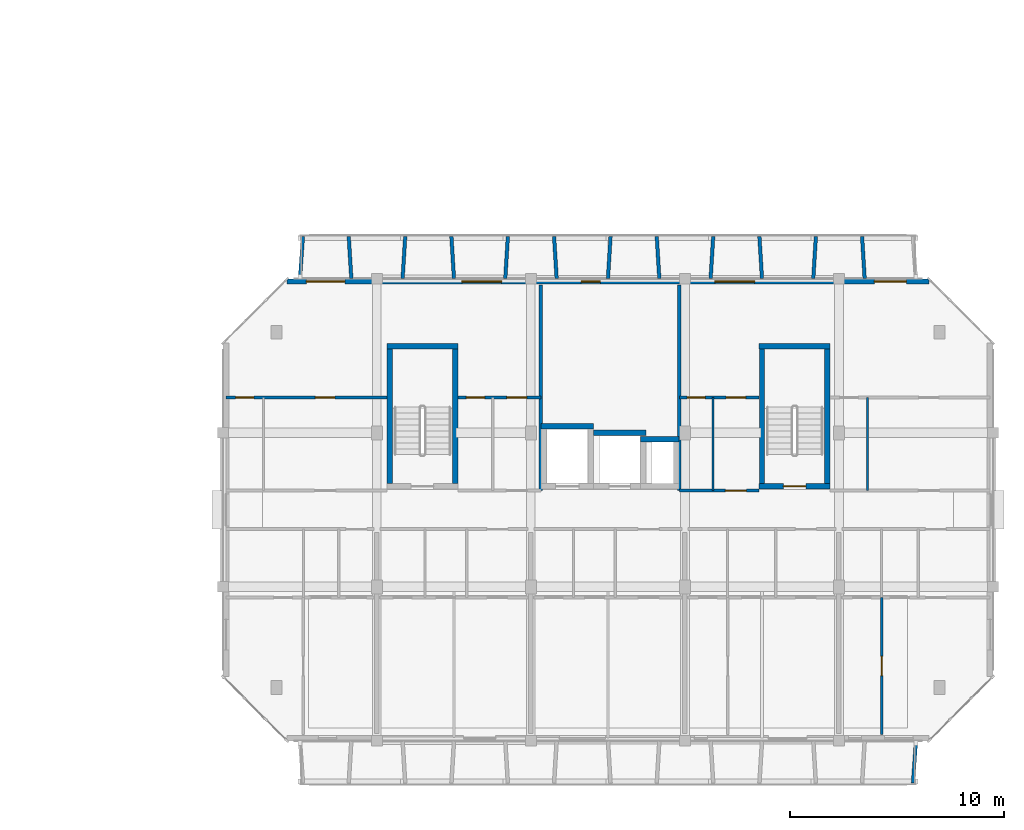
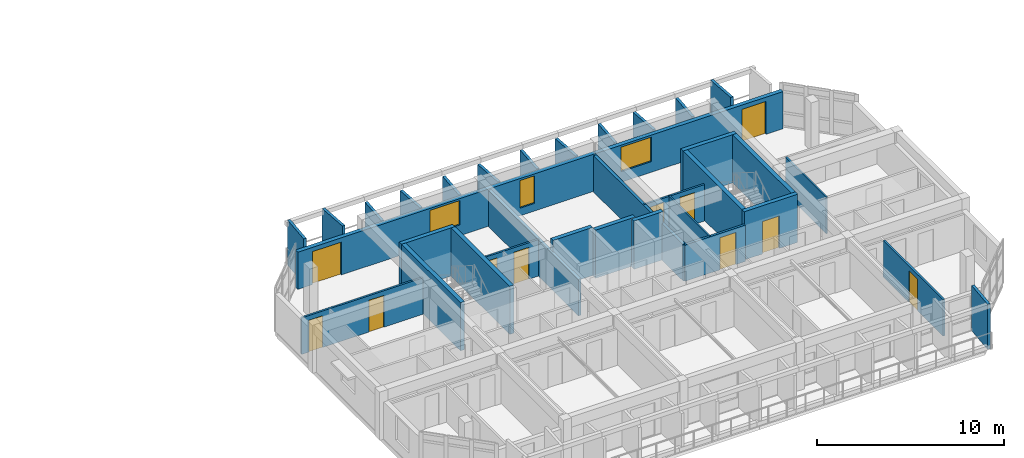
# One storey, part 26 of 46: 33 walls, 11 doors, 3 windows, 14 openings.
"""IFC4 building model written with IfcOpenShell, lengths in metres."""

from ifc_helpers import new_model, si_unit, direction, frame, frame_2d, origin, place, context, subcontext, project, spatial, rectangle, extrude, material, layer, layer_set, type_object, element, fill, save


model = new_model("IFC4")

# Units and contexts
model_context = context("Model", 3, precision=1e-05, world=origin(), true_north=direction((0.0, 1.0)))
body_context = subcontext(model_context, "Body", "Model", "MODEL_VIEW")
ifc_project = project(units=[si_unit("LENGTHUNIT", "METRE"), si_unit("AREAUNIT", "SQUARE_METRE"), si_unit("VOLUMEUNIT", "CUBIC_METRE"), si_unit("PLANEANGLEUNIT", "RADIAN"), si_unit("MASSUNIT", "GRAM", prefix="KILO")], contexts=[model_context])

# Site, building, storey
site_placement = place(None, origin())
site = spatial("IfcSite", under=ifc_project, at=site_placement, CompositionType="ELEMENT")
building_placement = place(site_placement, origin())
building = spatial("IfcBuilding", under=site, at=building_placement, Name="Ochrevale Crest", CompositionType="ELEMENT")
storey_placement = place(building_placement, frame((0.0, 0.0, 24.449951171875)))
storey = spatial("IfcBuildingStorey", under=building, at=storey_placement, Name="L07", CompositionType="ELEMENT", Elevation=24.449951171875)

# Wall, opening, door
ifc_material_1 = material(Name="Gypsum plasterboard", Category="gypsum")
ifc_layer_1 = layer(ifc_material_1, 0.139892578125)
ifc_layer_set_1 = layer_set([ifc_layer_1], Name="Gypsum plasterboard")
wall_type_1 = type_object("IfcWallType", Name="WL-COR-140", PredefinedType="PARTITIONING", material=ifc_layer_set_1)
wall_1_placement = place(storey_placement, frame((150.93994140625, 26.10009765625, 0.0), z_axis=(0.0, 0.0, 1.0), x_axis=(1.0, 0.0, 0.0)))
wall_1 = element("IfcWall", 1, at=wall_1_placement, inside=storey, type_object=wall_type_1, Name="Suite C-L07-ME corridor wall", PredefinedType="PARTITIONING", context=body_context, shape_type="SweptSolid", body=[
    extrude(rectangle(XDim=3.719970703125, YDim=0.139892578125, at=frame_2d((1.85986328125, 0.0))), origin(), (0.0, 0.0, 1.0), 2.380126953125),
])
opening_1_placement = place(wall_1_placement, frame((2.151123046875, 0.0, 0.0)))
opening_1 = element("IfcOpeningElement", 2, at=opening_1_placement, cuts=wall_1, Name="Opening FD01", PredefinedType="OPENING", context=body_context, shape_type="SweptSolid", body=[
    extrude(rectangle(XDim=0.97998046875, YDim=2.10009765625, at=frame_2d((0.489990234375, 1.050048828125))), frame((0.0, 0.080078125, 0.0), z_axis=(0.0, -1.0, 0.0), x_axis=(1.0, 0.0, 0.0)), (0.0, 0.0, 1.0), 0.159912109375),
])
ifc_material_2 = material(Name="Solid-core FSC hardwood", Category="wood")
door_type_1 = type_object("IfcDoorType", Name="DR-APT-950", OperationType="NOTDEFINED", PredefinedType="DOOR", material=ifc_material_2)
door_1_placement = place(opening_1_placement, origin())
door_1 = element("IfcDoor", 3, at=door_1_placement, inside=storey, type_object=door_type_1, Name="Suite C-L07-ME entrance door", OperationType="SINGLE_SWING_LEFT", OverallHeight=2.10009765625, OverallWidth=0.97998046875, PredefinedType="DOOR", context=body_context, shape_type="SweptSolid", body=[
    extrude(rectangle(XDim=0.97998046875, YDim=2.10009765625, at=frame_2d((0.489990234375, 1.050048828125))), frame((0.0, 0.02490234375, 0.0), z_axis=(0.0, -1.0, 0.0), x_axis=(1.0, 0.0, 0.0)), (0.0, 0.0, 1.0), 0.050048828125),
])
fill(opening_1, door_1)

# Walls
ifc_material_3 = material(Name="Precast concrete C50/60", Category="concrete")
ifc_layer_2 = layer(ifc_material_3, 0.2548828125)
ifc_layer_set_2 = layer_set([ifc_layer_2], Name="Precast concrete C50/60")
wall_type_2 = type_object("IfcWallType", Name="WL-CORE-255", PredefinedType="SHEAR", material=ifc_layer_set_2)
wall_2_placement = place(storey_placement, frame((137.2724609375, 32.85009765625, 0.0), z_axis=(0.0, 0.0, 1.0), x_axis=(1.0, 0.0, 0.0)))
element("IfcWall", 4, at=wall_2_placement, inside=storey, type_object=wall_type_2, Name="Block C L07 Stair 1 precast core shear wall N", PredefinedType="SHEAR", context=body_context, shape_type="SweptSolid", body=[
    extrude(rectangle(XDim=3.304931640625, YDim=0.2548828125, at=frame_2d((1.65234375, 0.0))), origin(), (0.0, 0.0, 1.0), 3.150146484375),
])
for number, where, z_axis, x_axis, name in (
    (5, (137.39990234375, 26.427490234375, 0.0), (0.0, 0.0, 1.0), (0.0, 1.0, 0.0), "Block C L07 Stair 1 precast core shear wall W"),
    (6, (140.449951171875, 26.427490234375, 0.0), (0.0, 0.0, 1.0), (0.0, 1.0, 0.0), "Block C L07 Stair 1 precast core shear wall E"),
):
    element("IfcWall", number, at=place(storey_placement, frame(where, z_axis=z_axis, x_axis=x_axis)), inside=storey, type_object=wall_type_2, Name=name, PredefinedType="SHEAR", context=body_context, shape_type="SweptSolid", body=[
        extrude(rectangle(XDim=6.294921875, YDim=0.2548828125, at=frame_2d((3.1474609375, 0.0))), origin(), (0.0, 0.0, 1.0), 3.150146484375),
    ])

# Wall, opening, door
wall_3_placement = place(storey_placement, frame((154.672607421875, 26.300048828125, 0.0), z_axis=(0.0, 0.0, 1.0), x_axis=(1.0, 0.0, 0.0)))
wall_3 = element("IfcWall", 7, at=wall_3_placement, inside=storey, type_object=wall_type_2, Name="Block C L07 Stair 2 precast core shear wall S", PredefinedType="SHEAR", context=body_context, shape_type="SweptSolid", body=[
    extrude(rectangle(XDim=3.304931640625, YDim=0.2548828125, at=frame_2d((1.65234375, 0.0))), origin(), (0.0, 0.0, 1.0), 3.150146484375),
])
opening_2_placement = place(wall_3_placement, frame((1.12744140625, 0.0, 0.0)))
opening_2 = element("IfcOpeningElement", 8, at=opening_2_placement, cuts=wall_3, Name="Opening FD03", PredefinedType="OPENING", context=body_context, shape_type="SweptSolid", body=[
    extrude(rectangle(XDim=1.050048828125, YDim=2.1201171875, at=frame_2d((0.52490234375, 1.06005859375))), frame((0.0, 0.137451171875, 0.0), z_axis=(0.0, -1.0, 0.0), x_axis=(1.0, 0.0, 0.0)), (0.0, 0.0, 1.0), 0.27490234375),
])
door_type_2 = type_object("IfcDoorType", Name="DR-ST-1050", OperationType="NOTDEFINED", PredefinedType="DOOR", material=ifc_material_2)
door_2_placement = place(opening_2_placement, origin())
door_2 = element("IfcDoor", 9, at=door_2_placement, inside=storey, type_object=door_type_2, Name="Block C L07 fire stair 2 door", OperationType="SINGLE_SWING_LEFT", OverallHeight=2.1201171875, OverallWidth=1.050048828125, PredefinedType="DOOR", context=body_context, shape_type="SweptSolid", body=[
    extrude(rectangle(XDim=1.050048828125, YDim=2.1201171875, at=frame_2d((0.52490234375, 1.06005859375))), frame((0.0, 0.02490234375, 0.0), z_axis=(0.0, -1.0, 0.0), x_axis=(1.0, 0.0, 0.0)), (0.0, 0.0, 1.0), 0.050048828125),
])
fill(opening_2, door_2)

# Walls
wall_4_placement = place(storey_placement, frame((154.672607421875, 32.85009765625, 0.0), z_axis=(0.0, 0.0, 1.0), x_axis=(1.0, 0.0, 0.0)))
element("IfcWall", 10, at=wall_4_placement, inside=storey, type_object=wall_type_2, Name="Block C L07 Stair 2 precast core shear wall N", PredefinedType="SHEAR", context=body_context, shape_type="SweptSolid", body=[
    extrude(rectangle(XDim=3.304931640625, YDim=0.2548828125, at=frame_2d((1.65234375, 0.0))), origin(), (0.0, 0.0, 1.0), 3.150146484375),
])
for number, where, z_axis, x_axis, name in (
    (11, (154.800048828125, 26.427490234375, 0.0), (0.0, 0.0, 1.0), (0.0, 1.0, 0.0), "Block C L07 Stair 2 precast core shear wall W"),
    (12, (157.85009765625, 26.427490234375, 0.0), (0.0, 0.0, 1.0), (0.0, 1.0, 0.0), "Block C L07 Stair 2 precast core shear wall E"),
):
    element("IfcWall", number, at=place(storey_placement, frame(where, z_axis=z_axis, x_axis=x_axis)), inside=storey, type_object=wall_type_2, Name=name, PredefinedType="SHEAR", context=body_context, shape_type="SweptSolid", body=[
        extrude(rectangle(XDim=6.294921875, YDim=0.2548828125, at=frame_2d((3.1474609375, 0.0))), origin(), (0.0, 0.0, 1.0), 3.150146484375),
    ])
wall_5_placement = place(storey_placement, frame((144.472412109375, 29.10009765625, 0.0), z_axis=(0.0, 0.0, 1.0), x_axis=(1.0, 0.0, 0.0)))
element("IfcWall", 13, at=wall_5_placement, inside=storey, type_object=wall_type_2, Name="Block C L07 Lift 1 precast shaft shear wall N", PredefinedType="SHEAR", context=body_context, shape_type="SweptSolid", body=[
    extrude(rectangle(XDim=2.455078125, YDim=0.2548828125, at=frame_2d((1.2275390625, 0.0))), origin(), (0.0, 0.0, 1.0), 3.150146484375),
])
wall_6_placement = place(storey_placement, frame((146.922607421875, 28.800048828125, 0.0), z_axis=(0.0, 0.0, 1.0), x_axis=(1.0, 0.0, 0.0)))
element("IfcWall", 14, at=wall_6_placement, inside=storey, type_object=wall_type_2, Name="Block C L07 Lift 2 precast shaft shear wall N", PredefinedType="SHEAR", context=body_context, shape_type="SweptSolid", body=[
    extrude(rectangle(XDim=2.454833984375, YDim=0.2548828125, at=frame_2d((1.2275390625, 0.0))), origin(), (0.0, 0.0, 1.0), 3.150146484375),
])
wall_7_placement = place(storey_placement, frame((149.12255859375, 28.5, 0.0), z_axis=(0.0, 0.0, 1.0), x_axis=(1.0, 0.0, 0.0)))
element("IfcWall", 15, at=wall_7_placement, inside=storey, type_object=wall_type_2, Name="Block C L07 services riser shaft core wall N", PredefinedType="SHEAR", context=body_context, shape_type="SweptSolid", body=[
    extrude(rectangle(XDim=1.804931640625, YDim=0.2548828125, at=frame_2d((0.90234375, 0.0))), origin(), (0.0, 0.0, 1.0), 3.150146484375),
])

# Wall, openings, doors, windows
ifc_material_4 = material(Name="Precast concrete C40/50", Category="concrete")
ifc_layer_3 = layer(ifc_material_4, 0.25)
ifc_layer_set_3 = layer_set([ifc_layer_3], Name="Precast concrete C40/50")
wall_type_3 = type_object("IfcWallType", Name="WL-EXT-GOLD-250", PredefinedType="SOLIDWALL", material=ifc_layer_set_3)
wall_8_placement = place(storey_placement, frame((162.60009765625, 35.875, 0.0), z_axis=(0.0, 0.0, 1.0), x_axis=(-1.0, 0.0, 0.0)))
wall_8 = element("IfcWall", 16, at=wall_8_placement, inside=storey, type_object=wall_type_3, Name="Block C L07 external facade wall E5", PredefinedType="SOLIDWALL", context=body_context, shape_type="SweptSolid", body=[
    extrude(rectangle(XDim=30.0, YDim=0.25, at=frame_2d((15.0, 0.0))), origin(), (0.0, 0.0, 1.0), 2.429931640625),
])
opening_3_placement = place(wall_8_placement, frame((29.10009765625, 0.0, 0.0), z_axis=(0.0, 0.0, 1.0), x_axis=(-1.0, 0.0, 0.0)))
opening_3 = element("IfcOpeningElement", 17, at=opening_3_placement, cuts=wall_8, Name="Opening BD03", PredefinedType="OPENING", context=body_context, shape_type="SweptSolid", body=[
    extrude(rectangle(XDim=1.800048828125, YDim=2.14990234375, at=frame_2d((0.89990234375, 1.074951171875))), frame((0.0, 0.135009765625, 0.0), z_axis=(0.0, -1.0, 0.0), x_axis=(1.0, 0.0, 0.0)), (0.0, 0.0, 1.0), 0.27001953125),
])
opening_4_placement = place(wall_8_placement, frame((2.550048828125, 0.0, 0.0), z_axis=(0.0, 0.0, 1.0), x_axis=(-1.0, 0.0, 0.0)))
opening_4 = element("IfcOpeningElement", 18, at=opening_4_placement, cuts=wall_8, Name="Opening BD01", PredefinedType="OPENING", context=body_context, shape_type="SweptSolid", body=[
    extrude(rectangle(XDim=1.5, YDim=2.14990234375, at=frame_2d((0.75, 1.074951171875))), frame((0.0, 0.135009765625, 0.0), z_axis=(0.0, -1.0, 0.0), x_axis=(1.0, 0.0, 0.0)), (0.0, 0.0, 1.0), 0.27001953125),
])
opening_5_placement = place(wall_8_placement, frame((15.35498046875, 0.0, 0.5)))
opening_5 = element("IfcOpeningElement", 19, at=opening_5_placement, cuts=wall_8, Name="Opening W17", PredefinedType="OPENING", context=body_context, shape_type="SweptSolid", body=[
    extrude(rectangle(XDim=0.89990234375, YDim=1.800048828125, at=frame_2d((0.449951171875, 0.89990234375))), frame((0.0, 0.135009765625, 0.0), z_axis=(0.0, -1.0, 0.0), x_axis=(1.0, 0.0, 0.0)), (0.0, 0.0, 1.0), 0.27001953125),
])
opening_6_placement = place(wall_8_placement, frame((8.14501953125, 0.0, 0.699951171875)))
opening_6 = element("IfcOpeningElement", 20, at=opening_6_placement, cuts=wall_8, Name="Opening W11", PredefinedType="OPENING", context=body_context, shape_type="SweptSolid", body=[
    extrude(rectangle(XDim=1.860107421875, YDim=1.60009765625, at=frame_2d((0.93017578125, 0.800048828125))), frame((0.0, 0.135009765625, 0.0), z_axis=(0.0, -1.0, 0.0), x_axis=(1.0, 0.0, 0.0)), (0.0, 0.0, 1.0), 0.27001953125),
])
opening_7_placement = place(wall_8_placement, frame((19.969970703125, 0.0, 0.699951171875)))
opening_7 = element("IfcOpeningElement", 21, at=opening_7_placement, cuts=wall_8, Name="Opening W11", PredefinedType="OPENING", context=body_context, shape_type="SweptSolid", body=[
    extrude(rectangle(XDim=1.860107421875, YDim=1.60009765625, at=frame_2d((0.93017578125, 0.800048828125))), frame((0.0, 0.135009765625, 0.0), z_axis=(0.0, -1.0, 0.0), x_axis=(1.0, 0.0, 0.0)), (0.0, 0.0, 1.0), 0.27001953125),
])
ifc_material_5 = material(Name="Anodised aluminium 6063-T5 and toughened glass", Category="aluminium")
door_type_3 = type_object("IfcDoorType", Name="DR-BAL-1500", OperationType="NOTDEFINED", PredefinedType="DOOR", material=ifc_material_5)
door_3_placement = place(opening_4_placement, origin())
door_3 = element("IfcDoor", 22, at=door_3_placement, inside=storey, type_object=door_type_3, Name="Block C L07 balcony door N5", OperationType="SINGLE_SWING_LEFT", OverallHeight=2.14990234375, OverallWidth=1.5, PredefinedType="DOOR", context=body_context, shape_type="SweptSolid", body=[
    extrude(rectangle(XDim=1.5, YDim=2.14990234375, at=frame_2d((0.75, 1.074951171875))), frame((0.0, 0.02490234375, 0.0), z_axis=(0.0, -1.0, 0.0), x_axis=(1.0, 0.0, 0.0)), (0.0, 0.0, 1.0), 0.050048828125),
])
fill(opening_4, door_3)
door_type_4 = type_object("IfcDoorType", Name="DR-BAL-1800", OperationType="NOTDEFINED", PredefinedType="DOOR", material=ifc_material_5)
door_4_placement = place(opening_3_placement, origin())
door_4 = element("IfcDoor", 23, at=door_4_placement, inside=storey, type_object=door_type_4, Name="Block C L07 balcony door N1", OperationType="SINGLE_SWING_RIGHT", OverallHeight=2.14990234375, OverallWidth=1.800048828125, PredefinedType="DOOR", context=body_context, shape_type="SweptSolid", body=[
    extrude(rectangle(XDim=1.800048828125, YDim=2.14990234375, at=frame_2d((0.89990234375, 1.074951171875))), frame((0.0, 0.02490234375, 0.0), z_axis=(0.0, -1.0, 0.0), x_axis=(1.0, 0.0, 0.0)), (0.0, 0.0, 1.0), 0.050048828125),
])
fill(opening_3, door_4)
ifc_material_6 = material(Name="Anodised aluminium 6063-T5 and low-E double glazing", Category="aluminium")
window_type_1 = type_object("IfcWindowType", Name="WIN-W11", PartitioningType="SINGLE_PANEL", PredefinedType="WINDOW", material=ifc_material_6)
window_1_placement = place(opening_6_placement, origin())
window_1 = element("IfcWindow", 24, at=window_1_placement, inside=storey, type_object=window_type_1, Name="Block C L07 Suite C-L07-ME Garden Alcove Studio window", OverallHeight=1.60009765625, OverallWidth=1.860107421875, PartitioningType="SINGLE_PANEL", PredefinedType="WINDOW", context=body_context, shape_type="SweptSolid", body=[
    extrude(rectangle(XDim=1.860107421875, YDim=1.60009765625, at=frame_2d((0.93017578125, 0.800048828125))), frame((0.0, 0.030029296875, 0.0), z_axis=(0.0, -1.0, 0.0), x_axis=(1.0, 0.0, 0.0)), (0.0, 0.0, 1.0), 0.06005859375),
])
fill(opening_6, window_1)
window_2_placement = place(opening_7_placement, origin())
window_2 = element("IfcWindow", 25, at=window_2_placement, inside=storey, type_object=window_type_1, Name="Block C L07 Suite C-L07-MW Courtyard Studio Living window", OverallHeight=1.60009765625, OverallWidth=1.860107421875, PartitioningType="SINGLE_PANEL", PredefinedType="WINDOW", context=body_context, shape_type="SweptSolid", body=[
    extrude(rectangle(XDim=1.860107421875, YDim=1.60009765625, at=frame_2d((0.93017578125, 0.800048828125))), frame((0.0, 0.030029296875, 0.0), z_axis=(0.0, -1.0, 0.0), x_axis=(1.0, 0.0, 0.0)), (0.0, 0.0, 1.0), 0.06005859375),
])
fill(opening_7, window_2)
window_type_2 = type_object("IfcWindowType", Name="WIN-W17", PartitioningType="SINGLE_PANEL", PredefinedType="WINDOW", material=ifc_material_6)
window_3_placement = place(opening_5_placement, origin())
window_3 = element("IfcWindow", 26, at=window_3_placement, inside=storey, type_object=window_type_2, Name="Block C L07 core lancet window", OverallHeight=1.800048828125, OverallWidth=0.89990234375, PartitioningType="SINGLE_PANEL", PredefinedType="WINDOW", context=body_context, shape_type="SweptSolid", body=[
    extrude(rectangle(XDim=0.89990234375, YDim=1.800048828125, at=frame_2d((0.449951171875, 0.89990234375))), frame((0.0, 0.030029296875, 0.0), z_axis=(0.0, -1.0, 0.0), x_axis=(1.0, 0.0, 0.0)), (0.0, 0.0, 1.0), 0.06005859375),
])
fill(opening_5, window_3)

# Walls
ifc_layer_4 = layer(ifc_material_4, 0.1650390625)
ifc_layer_set_4 = layer_set([ifc_layer_4], Name="Precast concrete C40/50")
wall_type_4 = type_object("IfcWallType", Name="WL-HC-CHEEK-165", PredefinedType="ELEMENTEDWALL", material=ifc_layer_set_4)
for number, where, z_axis, x_axis, name in (
    (27, (162.0, 14.3798828125, 0.0), (0.0, 0.0, 1.0), (-0.071194071069, -0.997462482625, 0.0), "Block C L07 S precast honeycomb cheek 13"),
    (28, (133.199951171875, 36.02001953125, 0.0), (0.0, 0.0, 1.0), (0.071317687608, 0.997453651772, 0.0), "Block C L07 N precast honeycomb cheek 1"),
):
    element("IfcWall", number, at=place(storey_placement, frame(where, z_axis=z_axis, x_axis=x_axis)), inside=storey, type_object=wall_type_4, Name=name, PredefinedType="ELEMENTEDWALL", context=body_context, shape_type="SweptSolid", body=[
        extrude(rectangle(XDim=1.96484375, YDim=0.1650390625, at=frame_2d((0.982421875, 0.0))), origin(), (0.0, 0.0, 1.0), 2.949951171875),
    ])
wall_9_placement = place(storey_placement, frame((135.60009765625, 36.02001953125, 0.0), z_axis=(0.0, 0.0, 1.0), x_axis=(-0.061170732449, 0.998127317276, 0.0)))
element("IfcWall", 29, at=wall_9_placement, inside=storey, type_object=wall_type_4, Name="Block C L07 N precast honeycomb cheek 2", PredefinedType="ELEMENTEDWALL", context=body_context, shape_type="SweptSolid", body=[
    extrude(rectangle(XDim=1.963623046875, YDim=0.1650390625, at=frame_2d((0.98193359375, 0.0))), origin(), (0.0, 0.0, 1.0), 2.949951171875),
])
for number, where, z_axis, x_axis, name in (
    (30, (138.0, 36.02001953125, 0.0), (0.0, 0.0, 1.0), (0.061170732449, 0.998127317276, 0.0), "Block C L07 N precast honeycomb cheek 3"),
    (31, (140.39990234375, 36.02001953125, 0.0), (0.0, 0.0, 1.0), (-0.061046865508, 0.998134900808, 0.0), "Block C L07 N precast honeycomb cheek 4"),
    (32, (142.800048828125, 36.02001953125, 0.0), (0.0, 0.0, 1.0), (0.061046865508, 0.998134900808, 0.0), "Block C L07 N precast honeycomb cheek 5"),
):
    element("IfcWall", number, at=place(storey_placement, frame(where, z_axis=z_axis, x_axis=x_axis)), inside=storey, type_object=wall_type_4, Name=name, PredefinedType="ELEMENTEDWALL", context=body_context, shape_type="SweptSolid", body=[
        extrude(rectangle(XDim=1.963623046875, YDim=0.1650390625, at=frame_2d((0.98193359375, 0.0))), origin(), (0.0, 0.0, 1.0), 2.449951171875),
    ])
for number, where, z_axis, x_axis, name in (
    (33, (145.199951171875, 36.02001953125, 0.0), (0.0, 0.0, 1.0), (-0.061046865508, 0.998134900808, 0.0), "Block C L07 N precast honeycomb cheek 6"),
    (34, (147.60009765625, 36.02001953125, 0.0), (0.0, 0.0, 1.0), (0.061046865508, 0.998134900808, 0.0), "Block C L07 N precast honeycomb cheek 7"),
    (35, (150.0, 36.02001953125, 0.0), (0.0, 0.0, 1.0), (-0.061170732449, 0.998127317276, 0.0), "Block C L07 N precast honeycomb cheek 8"),
):
    element("IfcWall", number, at=place(storey_placement, frame(where, z_axis=z_axis, x_axis=x_axis)), inside=storey, type_object=wall_type_4, Name=name, PredefinedType="ELEMENTEDWALL", context=body_context, shape_type="SweptSolid", body=[
        extrude(rectangle(XDim=1.963623046875, YDim=0.1650390625, at=frame_2d((0.98193359375, 0.0))), origin(), (0.0, 0.0, 1.0), 2.47998046875),
    ])
for number, where, z_axis, x_axis, name in (
    (36, (152.39990234375, 36.02001953125, 0.0), (0.0, 0.0, 1.0), (0.061170732449, 0.998127317276, 0.0), "Block C L07 N precast honeycomb cheek 9"),
    (37, (154.800048828125, 36.02001953125, 0.0), (0.0, 0.0, 1.0), (-0.061170732449, 0.998127317276, 0.0), "Block C L07 N precast honeycomb cheek 10"),
    (38, (157.199951171875, 36.02001953125, 0.0), (0.0, 0.0, 1.0), (0.061170732449, 0.998127317276, 0.0), "Block C L07 N precast honeycomb cheek 11"),
):
    element("IfcWall", number, at=place(storey_placement, frame(where, z_axis=z_axis, x_axis=x_axis)), inside=storey, type_object=wall_type_4, Name=name, PredefinedType="ELEMENTEDWALL", context=body_context, shape_type="SweptSolid", body=[
        extrude(rectangle(XDim=1.963623046875, YDim=0.1650390625, at=frame_2d((0.98193359375, 0.0))), origin(), (0.0, 0.0, 1.0), 2.530029296875),
    ])
wall_10_placement = place(storey_placement, frame((159.60009765625, 36.02001953125, 0.0), z_axis=(0.0, 0.0, 1.0), x_axis=(-0.061170732449, 0.998127317276, 0.0)))
element("IfcWall", 39, at=wall_10_placement, inside=storey, type_object=wall_type_4, Name="Block C L07 N precast honeycomb cheek 12", PredefinedType="ELEMENTEDWALL", context=body_context, shape_type="SweptSolid", body=[
    extrude(rectangle(XDim=1.963623046875, YDim=0.1650390625, at=frame_2d((0.98193359375, 0.0))), origin(), (0.0, 0.0, 1.0), 2.949951171875),
])

# Wall, opening, door
ifc_layer_5 = layer(ifc_material_1, 0.1201171875)
ifc_layer_set_5 = layer_set([ifc_layer_5], Name="Gypsum plasterboard")
wall_type_5 = type_object("IfcWallType", Name="WL-PART-120", PredefinedType="PARTITIONING", material=ifc_layer_set_5)
wall_11_placement = place(storey_placement, frame((160.389892578125, 14.699951171875, 0.0), z_axis=(0.0, 0.0, 1.0), x_axis=(0.0, 1.0, 0.0)))
wall_11 = element("IfcWall", 40, at=wall_11_placement, inside=storey, type_object=wall_type_5, Name="Apartment C-L07-U5 bedroom partition", PredefinedType="PARTITIONING", context=body_context, shape_type="SweptSolid", body=[
    extrude(rectangle(XDim=6.400146484375, YDim=0.1201171875, at=frame_2d((3.2001953125, 0.0))), origin(), (0.0, 0.0, 1.0), 2.380126953125),
])
opening_8_placement = place(wall_11_placement, frame((2.75, 0.0, 0.0)))
opening_8 = element("IfcOpeningElement", 41, at=opening_8_placement, cuts=wall_11, Name="Opening ID02", PredefinedType="OPENING", context=body_context, shape_type="SweptSolid", body=[
    extrude(rectangle(XDim=0.89990234375, YDim=2.080078125, at=frame_2d((0.449951171875, 1.0400390625))), frame((0.0, 0.070068359375, 0.0), z_axis=(0.0, -1.0, 0.0), x_axis=(1.0, 0.0, 0.0)), (0.0, 0.0, 1.0), 0.14013671875),
])
door_type_5 = type_object("IfcDoorType", Name="DR-INT-900", OperationType="NOTDEFINED", PredefinedType="DOOR", material=ifc_material_2)
door_5_placement = place(opening_8_placement, origin())
door_5 = element("IfcDoor", 42, at=door_5_placement, inside=storey, type_object=door_type_5, Name="Apartment C-L07-U5 Master Bedroom door", OperationType="SINGLE_SWING_RIGHT", OverallHeight=2.080078125, OverallWidth=0.89990234375, PredefinedType="DOOR", context=body_context, shape_type="SweptSolid", body=[
    extrude(rectangle(XDim=0.89990234375, YDim=2.080078125, at=frame_2d((0.449951171875, 1.0400390625))), frame((0.0, 0.02490234375, 0.0), z_axis=(0.0, -1.0, 0.0), x_axis=(1.0, 0.0, 0.0)), (0.0, 0.0, 1.0), 0.050048828125),
])
fill(opening_8, door_5)

# Wall, openings, doors
wall_12_placement = place(storey_placement, frame((129.739990234375, 30.449951171875, 0.0), z_axis=(0.0, 0.0, 1.0), x_axis=(1.0, 0.0, 0.0)))
wall_12 = element("IfcWall", 43, at=wall_12_placement, inside=storey, type_object=wall_type_5, Name="Suite C-L07-CW internal wall", PredefinedType="PARTITIONING", context=body_context, shape_type="SweptSolid", body=[
    extrude(rectangle(XDim=7.52001953125, YDim=0.1201171875, at=frame_2d((3.760009765625, 0.0))), origin(), (0.0, 0.0, 1.0), 2.380126953125),
])
opening_9_placement = place(wall_12_placement, frame((1.300048828125, 0.0, 0.0), z_axis=(0.0, 0.0, 1.0), x_axis=(-1.0, 0.0, 0.0)))
opening_9 = element("IfcOpeningElement", 44, at=opening_9_placement, cuts=wall_12, Name="Opening ID01", PredefinedType="OPENING", context=body_context, shape_type="SweptSolid", body=[
    extrude(rectangle(XDim=0.85009765625, YDim=2.080078125, at=frame_2d((0.425048828125, 1.0400390625))), frame((0.0, 0.070068359375, 0.0), z_axis=(0.0, -1.0, 0.0), x_axis=(1.0, 0.0, 0.0)), (0.0, 0.0, 1.0), 0.14013671875),
])
opening_10_placement = place(wall_12_placement, frame((4.175048828125, 0.0, 0.0)))
opening_10 = element("IfcOpeningElement", 45, at=opening_10_placement, cuts=wall_12, Name="Opening ID04", PredefinedType="OPENING", context=body_context, shape_type="SweptSolid", body=[
    extrude(rectangle(XDim=0.919921875, YDim=2.080078125, at=frame_2d((0.4599609375, 1.0400390625))), frame((0.0, 0.070068359375, 0.0), z_axis=(0.0, -1.0, 0.0), x_axis=(1.0, 0.0, 0.0)), (0.0, 0.0, 1.0), 0.14013671875),
])
door_type_6 = type_object("IfcDoorType", Name="DR-INT-920", OperationType="NOTDEFINED", PredefinedType="DOOR", material=ifc_material_2)
door_6_placement = place(opening_10_placement, origin())
door_6 = element("IfcDoor", 46, at=door_6_placement, inside=storey, type_object=door_type_6, Name="Suite C-L07-CW Garden Alcove Studio door", OperationType="SINGLE_SWING_LEFT", OverallHeight=2.080078125, OverallWidth=0.919921875, PredefinedType="DOOR", context=body_context, shape_type="SweptSolid", body=[
    extrude(rectangle(XDim=0.919921875, YDim=2.080078125, at=frame_2d((0.4599609375, 1.0400390625))), frame((0.0, 0.02490234375, 0.0), z_axis=(0.0, -1.0, 0.0), x_axis=(1.0, 0.0, 0.0)), (0.0, 0.0, 1.0), 0.050048828125),
])
fill(opening_10, door_6)
door_type_7 = type_object("IfcDoorType", Name="DR-WC-850", OperationType="NOTDEFINED", PredefinedType="DOOR", material=ifc_material_2)
door_7_placement = place(opening_9_placement, origin())
door_7 = element("IfcDoor", 47, at=door_7_placement, inside=storey, type_object=door_type_7, Name="Suite C-L07-CW Bathroom door", OperationType="SINGLE_SWING_RIGHT", OverallHeight=2.080078125, OverallWidth=0.85009765625, PredefinedType="DOOR", context=body_context, shape_type="SweptSolid", body=[
    extrude(rectangle(XDim=0.85009765625, YDim=2.080078125, at=frame_2d((0.425048828125, 1.0400390625))), frame((0.0, 0.02490234375, 0.0), z_axis=(0.0, -1.0, 0.0), x_axis=(1.0, 0.0, 0.0)), (0.0, 0.0, 1.0), 0.050048828125),
])
fill(opening_9, door_7)

wall_13_placement = place(storey_placement, frame((140.590087890625, 30.449951171875, 0.0), z_axis=(0.0, 0.0, 1.0), x_axis=(1.0, 0.0, 0.0)))
wall_13 = element("IfcWall", 48, at=wall_13_placement, inside=storey, type_object=wall_type_5, Name="Suite C-L07-MW internal wall", PredefinedType="PARTITIONING", context=body_context, shape_type="SweptSolid", body=[
    extrude(rectangle(XDim=3.869873046875, YDim=0.1201171875, at=frame_2d((1.93505859375, 0.0))), origin(), (0.0, 0.0, 1.0), 2.380126953125),
])
opening_11_placement = place(wall_13_placement, frame((0.3876953125, 0.0, 0.0)))
opening_11 = element("IfcOpeningElement", 49, at=opening_11_placement, cuts=wall_13, Name="Opening ID01", PredefinedType="OPENING", context=body_context, shape_type="SweptSolid", body=[
    extrude(rectangle(XDim=0.85009765625, YDim=2.080078125, at=frame_2d((0.425048828125, 1.0400390625))), frame((0.0, 0.070068359375, 0.0), z_axis=(0.0, -1.0, 0.0), x_axis=(1.0, 0.0, 0.0)), (0.0, 0.0, 1.0), 0.14013671875),
])
opening_12_placement = place(wall_13_placement, frame((3.20751953125, 0.0, 0.0), z_axis=(0.0, 0.0, 1.0), x_axis=(-1.0, 0.0, 0.0)))
opening_12 = element("IfcOpeningElement", 50, at=opening_12_placement, cuts=wall_13, Name="Opening ID04", PredefinedType="OPENING", context=body_context, shape_type="SweptSolid", body=[
    extrude(rectangle(XDim=0.919921875, YDim=2.080078125, at=frame_2d((0.4599609375, 1.0400390625))), frame((0.0, 0.070068359375, 0.0), z_axis=(0.0, -1.0, 0.0), x_axis=(1.0, 0.0, 0.0)), (0.0, 0.0, 1.0), 0.14013671875),
])
door_8_placement = place(opening_12_placement, origin())
door_8 = element("IfcDoor", 51, at=door_8_placement, inside=storey, type_object=door_type_6, Name="Suite C-L07-MW Courtyard Studio Living door", OperationType="SINGLE_SWING_RIGHT", OverallHeight=2.080078125, OverallWidth=0.919921875, PredefinedType="DOOR", context=body_context, shape_type="SweptSolid", body=[
    extrude(rectangle(XDim=0.919921875, YDim=2.080078125, at=frame_2d((0.4599609375, 1.0400390625))), frame((0.0, 0.02490234375, 0.0), z_axis=(0.0, -1.0, 0.0), x_axis=(1.0, 0.0, 0.0)), (0.0, 0.0, 1.0), 0.050048828125),
])
fill(opening_12, door_8)
door_9_placement = place(opening_11_placement, origin())
door_9 = element("IfcDoor", 52, at=door_9_placement, inside=storey, type_object=door_type_7, Name="Suite C-L07-MW Bathroom door", OperationType="SINGLE_SWING_LEFT", OverallHeight=2.080078125, OverallWidth=0.85009765625, PredefinedType="DOOR", context=body_context, shape_type="SweptSolid", body=[
    extrude(rectangle(XDim=0.85009765625, YDim=2.080078125, at=frame_2d((0.425048828125, 1.0400390625))), frame((0.0, 0.02490234375, 0.0), z_axis=(0.0, -1.0, 0.0), x_axis=(1.0, 0.0, 0.0)), (0.0, 0.0, 1.0), 0.050048828125),
])
fill(opening_11, door_9)

wall_14_placement = place(storey_placement, frame((150.93994140625, 30.449951171875, 0.0), z_axis=(0.0, 0.0, 1.0), x_axis=(1.0, 0.0, 0.0)))
wall_14 = element("IfcWall", 53, at=wall_14_placement, inside=storey, type_object=wall_type_5, Name="Suite C-L07-ME internal wall", PredefinedType="PARTITIONING", context=body_context, shape_type="SweptSolid", body=[
    extrude(rectangle(XDim=3.719970703125, YDim=0.1201171875, at=frame_2d((1.85986328125, 0.0))), origin(), (0.0, 0.0, 1.0), 2.380126953125),
])
opening_13_placement = place(wall_14_placement, frame((1.206298828125, 0.0, 0.0), z_axis=(0.0, 0.0, 1.0), x_axis=(-1.0, 0.0, 0.0)))
opening_13 = element("IfcOpeningElement", 54, at=opening_13_placement, cuts=wall_14, Name="Opening ID01", PredefinedType="OPENING", context=body_context, shape_type="SweptSolid", body=[
    extrude(rectangle(XDim=0.85009765625, YDim=2.080078125, at=frame_2d((0.425048828125, 1.0400390625))), frame((0.0, 0.070068359375, 0.0), z_axis=(0.0, -1.0, 0.0), x_axis=(1.0, 0.0, 0.0)), (0.0, 0.0, 1.0), 0.14013671875),
])
opening_14_placement = place(wall_14_placement, frame((2.18115234375, 0.0, 0.0)))
opening_14 = element("IfcOpeningElement", 55, at=opening_14_placement, cuts=wall_14, Name="Opening ID04", PredefinedType="OPENING", context=body_context, shape_type="SweptSolid", body=[
    extrude(rectangle(XDim=0.919921875, YDim=2.080078125, at=frame_2d((0.4599609375, 1.0400390625))), frame((0.0, 0.070068359375, 0.0), z_axis=(0.0, -1.0, 0.0), x_axis=(1.0, 0.0, 0.0)), (0.0, 0.0, 1.0), 0.14013671875),
])
door_10_placement = place(opening_14_placement, origin())
door_10 = element("IfcDoor", 56, at=door_10_placement, inside=storey, type_object=door_type_6, Name="Suite C-L07-ME Garden Alcove Studio door", OperationType="SINGLE_SWING_LEFT", OverallHeight=2.080078125, OverallWidth=0.919921875, PredefinedType="DOOR", context=body_context, shape_type="SweptSolid", body=[
    extrude(rectangle(XDim=0.919921875, YDim=2.080078125, at=frame_2d((0.4599609375, 1.0400390625))), frame((0.0, 0.02490234375, 0.0), z_axis=(0.0, -1.0, 0.0), x_axis=(1.0, 0.0, 0.0)), (0.0, 0.0, 1.0), 0.050048828125),
])
fill(opening_14, door_10)
door_11_placement = place(opening_13_placement, origin())
door_11 = element("IfcDoor", 57, at=door_11_placement, inside=storey, type_object=door_type_7, Name="Suite C-L07-ME Bathroom door", OperationType="SINGLE_SWING_RIGHT", OverallHeight=2.080078125, OverallWidth=0.85009765625, PredefinedType="DOOR", context=body_context, shape_type="SweptSolid", body=[
    extrude(rectangle(XDim=0.85009765625, YDim=2.080078125, at=frame_2d((0.425048828125, 1.0400390625))), frame((0.0, 0.02490234375, 0.0), z_axis=(0.0, -1.0, 0.0), x_axis=(1.0, 0.0, 0.0)), (0.0, 0.0, 1.0), 0.050048828125),
])
fill(opening_13, door_11)

# Walls
ifc_layer_6 = layer(ifc_material_1, 0.169921875)
ifc_layer_set_6 = layer_set([ifc_layer_6], Name="Gypsum plasterboard")
wall_type_6 = type_object("IfcWallType", Name="WL-TEN-170", PredefinedType="PARTITIONING", material=ifc_layer_set_6)
for number, where, z_axis, x_axis, name in (
    (58, (144.4599609375, 26.10009765625, 0.0), (0.0, 0.0, 1.0), (0.0, 1.0, 0.0), "Suite C-L07-MW east party wall"),
    (59, (150.93994140625, 26.10009765625, 0.0), (0.0, 0.0, 1.0), (0.0, 1.0, 0.0), "Suite C-L07-ME west party wall"),
):
    element("IfcWall", number, at=place(storey_placement, frame(where, z_axis=z_axis, x_axis=x_axis)), inside=storey, type_object=wall_type_6, Name=name, PredefinedType="PARTITIONING", context=body_context, shape_type="SweptSolid", body=[
        extrude(rectangle(XDim=9.599853515625, YDim=0.169921875, at=frame_2d((4.7998046875, 0.0))), origin(), (0.0, 0.0, 1.0), 2.380126953125),
    ])
ifc_layer_7 = layer(ifc_material_1, 0.10009765625)
ifc_layer_set_7 = layer_set([ifc_layer_7], Name="Gypsum plasterboard")
wall_type_7 = type_object("IfcWallType", Name="WL-WET-100", PredefinedType="PARTITIONING", material=ifc_layer_set_7)
for number, where, z_axis, x_axis, name in (
    (60, (152.50244140625, 26.10009765625, 0.0), (0.0, 0.0, 1.0), (0.0, 1.0, 0.0), "Suite C-L07-ME bathroom divider"),
    (61, (159.739990234375, 26.10009765625, 0.0), (0.0, 0.0, 1.0), (0.0, 1.0, 0.0), "Suite C-L07-CE bathroom divider"),
):
    element("IfcWall", number, at=place(storey_placement, frame(where, z_axis=z_axis, x_axis=x_axis)), inside=storey, type_object=wall_type_7, Name=name, PredefinedType="PARTITIONING", context=body_context, shape_type="SweptSolid", body=[
        extrude(rectangle(XDim=4.349853515625, YDim=0.10009765625, at=frame_2d((2.1748046875, 0.0))), origin(), (0.0, 0.0, 1.0), 2.380126953125),
    ])

save(model, "model.ifc")
